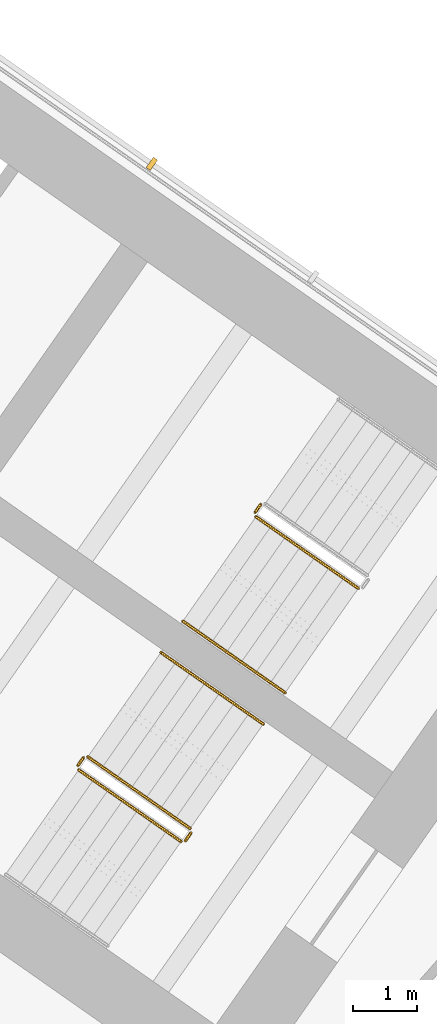
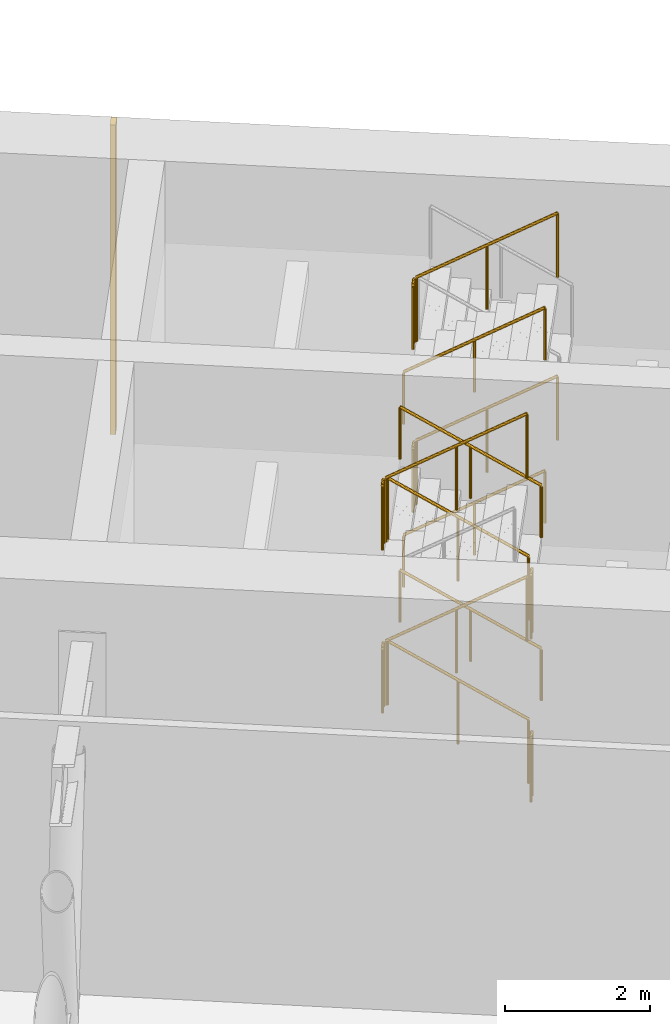
# One storey, part 21 of 24: 16 railings, 1 shading device.
"""IFC4 building model written with IfcOpenShell, lengths in metres."""

import ifcopenshell
import ifcopenshell.guid

model = None  # the IFC model being written
_history = None  # IfcOwnerHistory: only IFC2X3 demands one
_inside = {}  # id of a spatial element -> (the spatial element, [elements in it])
_under = {}  # id of a project, library or spatial element -> (it, [spatial elements below it])
_declared = {}  # id of a project -> (the project, [libraries it declares])
_typed = {}  # id of a type object -> (the type object, [elements of that type])
_made_of = {}  # id of a material, layer set ... -> (it, [elements and type objects made of it])


def new_model(schema):
    """Start an empty IFC model of exactly this schema.

    Asked for "IFC4X3", IfcOpenShell would pick the latest addendum, in which some entities
    have other attributes; the version numbers below select the first issue.
    IFC2X3 requires an IfcOwnerHistory on every rooted entity: one is made here for all.
    """
    global model, _history
    if schema == "IFC4X3":
        model = ifcopenshell.file(schema_version=(4, 3, 0, 0))
    else:
        model = ifcopenshell.file(schema=schema)
    _inside.clear()
    _under.clear()
    _declared.clear()
    _typed.clear()
    _made_of.clear()
    _history = None
    if model.schema == "IFC2X3":
        org = make("IfcOrganization", Name="unknown")
        user = make(
            "IfcPersonAndOrganization",
            ThePerson=make("IfcPerson", FamilyName="unknown"),
            TheOrganization=org,
        )
        app = make(
            "IfcApplication",
            ApplicationDeveloper=org,
            Version="unknown",
            ApplicationFullName="unknown",
            ApplicationIdentifier="unknown",
        )
        _history = make(
            "IfcOwnerHistory",
            OwningUser=user,
            OwningApplication=app,
            ChangeAction="ADDED",
            CreationDate=0,
        )
    return model


def make(cls, **values):
    """One entity of the class cls with the attributes given. An attribute that is None is left unset."""
    return model.create_entity(
        cls, **{name: value for name, value in values.items() if value is not None}
    )


def rooted(cls, **values):
    """An entity with a GlobalId (a new one), such as an element, a storey or a relation."""
    return make(cls, GlobalId=ifcopenshell.guid.new(), OwnerHistory=_history, **values)


def si_unit(unit_type, name, prefix=None):
    """IfcSIUnit, for example si_unit("LENGTHUNIT", "METRE", prefix="MILLI")."""
    return make("IfcSIUnit", UnitType=unit_type, Prefix=prefix, Name=name)


def assignment(units):
    """IfcUnitAssignment: the units of a project."""
    return None if units is None else make("IfcUnitAssignment", Units=units)


def point(xyz):
    """IfcCartesianPoint."""
    return None if xyz is None else make("IfcCartesianPoint", Coordinates=xyz)


def direction(xyz):
    """IfcDirection."""
    return None if xyz is None else make("IfcDirection", DirectionRatios=xyz)


def frame(location, z_axis=None, x_axis=None):
    """IfcAxis2Placement3D, a coordinate frame: its origin and axes. An axis left out is left unset."""
    return make(
        "IfcAxis2Placement3D",
        Location=point(location),
        Axis=direction(z_axis),
        RefDirection=direction(x_axis),
    )


def frame_2d(location, x_axis=None):
    """IfcAxis2Placement2D, a coordinate frame in the plane: its origin and x axis."""
    return make(
        "IfcAxis2Placement2D", Location=point(location), RefDirection=direction(x_axis)
    )


def origin():
    """The frame at (0, 0, 0) with its axes left unset."""
    return frame((0.0, 0.0, 0.0))


def origin_2d():
    """The frame at (0, 0) in the plane with its x axis left unset."""
    return frame_2d((0.0, 0.0))


def place(relative_to, where):
    """IfcLocalPlacement: puts the frame where relative to a parent placement (None: the world)."""
    return make(
        "IfcLocalPlacement", PlacementRelTo=relative_to, RelativePlacement=where
    )


def context(
    kind, dimensions, precision=None, world=None, true_north=None, identifier=None
):
    """IfcGeometricRepresentationContext, for example the 3D "Model" context."""
    return make(
        "IfcGeometricRepresentationContext",
        ContextIdentifier=identifier,
        ContextType=kind,
        CoordinateSpaceDimension=dimensions,
        Precision=precision,
        WorldCoordinateSystem=world,
        TrueNorth=true_north,
    )


def subcontext(parent, identifier, kind, view, scale=None):
    """IfcGeometricRepresentationSubContext, for example "Body" below "Model"."""
    return make(
        "IfcGeometricRepresentationSubContext",
        ContextIdentifier=identifier,
        ContextType=kind,
        ParentContext=parent,
        TargetScale=scale,
        TargetView=view,
    )


def project(units=None, contexts=None):
    """IfcProject with its units and contexts."""
    return rooted(
        "IfcProject",
        Name="project",
        RepresentationContexts=contexts,
        UnitsInContext=assignment(units),
    )


def spatial(cls, under=None, at=None, **own):
    """A site, building, storey or space (cls), placed at a placement, below another one or the project."""
    s = rooted(cls, ObjectPlacement=at, **own)
    if under is not None:
        _under.setdefault(under.id(), (under, []))[1].append(s)
    return s


def profile(cls, at=None, kind="AREA", **sizes):
    """A parametric profile (cls). Its sizes go by their IFC names, for example OverallWidth=200.0."""
    return make(cls, ProfileType=kind, Position=at, **sizes)


def rectangle(**sizes):
    """IfcRectangleProfileDef."""
    return profile("IfcRectangleProfileDef", **sizes)


def circle(**sizes):
    """IfcCircleProfileDef."""
    return profile("IfcCircleProfileDef", **sizes)


def extrude(swept, where, along, depth):
    """IfcExtrudedAreaSolid: the profile swept, set in the frame where, extruded along a direction by depth."""
    return make(
        "IfcExtrudedAreaSolid",
        SweptArea=swept,
        Position=where,
        ExtrudedDirection=direction(along),
        Depth=depth,
    )


def shape(context_of_items, identifier, shape_type, items):
    """IfcShapeRepresentation: the items that make up one representation, for example the "Body"."""
    return make(
        "IfcShapeRepresentation",
        ContextOfItems=context_of_items,
        RepresentationIdentifier=identifier,
        RepresentationType=shape_type,
        Items=items,
    )


def material(Name=None, Category=None):
    """IfcMaterial."""
    return make("IfcMaterial", Name=Name, Category=Category)


def layer(
    of_material, thickness, ventilated=None, Name=None, Category=None, Priority=None
):
    """IfcMaterialLayer: one layer of a wall or slab, of a material (None: an air gap)."""
    return make(
        "IfcMaterialLayer",
        Material=of_material,
        LayerThickness=thickness,
        IsVentilated=ventilated,
        Name=Name,
        Category=Category,
        Priority=Priority,
    )


def layer_set(layers, Name=None):
    """IfcMaterialLayerSet."""
    return make("IfcMaterialLayerSet", MaterialLayers=layers, LayerSetName=Name)


def made_of(thing, what):
    """Note that an element or type object is made of a material, layer set ...; save() writes the relation."""
    if what is not None:
        _made_of.setdefault(what.id(), (what, []))[1].append(thing)
    return thing


def type_object(cls, material=None, **own):
    """A type object (cls), such as IfcWallType, which elements share."""
    return made_of(rooted(cls, **own), material)


def element(
    cls,
    number,
    at=None,
    inside=None,
    cuts=None,
    type_object=None,
    material=None,
    context=None,
    identifier="Body",
    shape_type=None,
    held_by="IfcProductDefinitionShape",
    body=None,
    shapes=None,
    **own,
):
    """One element of the class cls, such as IfcWall. Its Tag is "e" and its number.

    at: its placement. inside: the storey or other place that contains it. cuts: it is an
    opening in that element (IfcRelVoidsElement). A single representation is given by context,
    identifier, shape_type and body (its items); several are given by shapes. held_by: the class
    of the entity that holds the representations. save() writes the other relations.
    """
    e = rooted(cls, Tag="e%d" % number, ObjectPlacement=at, **own)
    if body is not None:
        shapes = [shape(context, identifier, shape_type, body)]
    if shapes is not None:
        e.Representation = make(held_by, Representations=shapes)
    if inside is not None:
        _inside.setdefault(inside.id(), (inside, []))[1].append(e)
    if cuts is not None:
        rooted(
            "IfcRelVoidsElement", RelatingBuildingElement=cuts, RelatedOpeningElement=e
        )
    if type_object is not None:
        _typed.setdefault(type_object.id(), (type_object, []))[1].append(e)
    return made_of(e, material)


def aggregate(whole, parts):
    """IfcRelAggregates: a whole, such as a stair, and the parts it consists of."""
    return rooted("IfcRelAggregates", RelatingObject=whole, RelatedObjects=parts)


def save(model, path):
    """Write the relations noted so far, then the file.

    IfcRelAggregates (storeys below a building ...), IfcRelContainedInSpatialStructure (elements
    in a storey), IfcRelDefinesByType, IfcRelAssociatesMaterial and IfcRelDeclares: one each for
    every whole, place, type object, material and project.
    """
    for whole, parts in _under.values():
        aggregate(whole, parts)
    for where, things in _inside.values():
        rooted(
            "IfcRelContainedInSpatialStructure",
            RelatedElements=things,
            RelatingStructure=where,
        )
    for kind, things in _typed.values():
        rooted("IfcRelDefinesByType", RelatedObjects=things, RelatingType=kind)
    for what, things in _made_of.values():
        rooted("IfcRelAssociatesMaterial", RelatedObjects=things, RelatingMaterial=what)
    for by, libraries in _declared.values():
        rooted("IfcRelDeclares", RelatingContext=by, RelatedDefinitions=libraries)
    model.write(path)


model = new_model("IFC4")

# Units and contexts
model_context = context("Model", 3, precision=1e-05, world=origin(), true_north=direction((0.0, 1.0)))
body_context = subcontext(model_context, "Body", "Model", "MODEL_VIEW")
ifc_project = project(units=[si_unit("LENGTHUNIT", "METRE"), si_unit("AREAUNIT", "SQUARE_METRE"), si_unit("VOLUMEUNIT", "CUBIC_METRE"), si_unit("PLANEANGLEUNIT", "RADIAN"), si_unit("MASSUNIT", "GRAM", prefix="KILO")], contexts=[model_context])

# Site, building, storey
site_placement = place(None, origin())
site = spatial("IfcSite", under=ifc_project, at=site_placement, CompositionType="ELEMENT")
building_placement = place(site_placement, origin())
building = spatial("IfcBuilding", under=site, at=building_placement, Name="Tel Ilan Convention Tower", CompositionType="ELEMENT")
storey_placement = place(building_placement, frame((0.0, 0.0, 126.5)))
storey = spatial("IfcBuildingStorey", under=building, at=storey_placement, Name="L28", CompositionType="ELEMENT", Elevation=126.5)

# Shading device
ifc_material_1 = material(Name="Aluminium, bronze anodised", Category="aluminium")
ifc_layer = layer(ifc_material_1, 0.080078125)
ifc_layer_set = layer_set([ifc_layer], Name="SCREEN POST 80x200")
shading_device_type = type_object("IfcShadingDeviceType", Name="SCREEN POST 80x200", PredefinedType="USERDEFINED", material=ifc_layer_set)
shading_device_placement = place(storey_placement, frame((20.29541015625, -1.392822265625, 0.0), z_axis=(0.0, 0.0, 1.0), x_axis=(-0.819152044289, 0.573576436351, 0.0)))
element("IfcShadingDevice", 1, at=shading_device_placement, inside=storey, type_object=shading_device_type, Name="Screen post", ObjectType="SCREEN POST", PredefinedType="USERDEFINED", context=body_context, shape_type="SweptSolid", body=[
    extrude(rectangle(XDim=0.080078125, YDim=0.199951171875, at=origin_2d()), origin(), (0.0, 0.0, 1.0), 5.219970703125),
])

# Railings
ifc_material_2 = material(Name="Stainless Steel Grade 316", Category="steel")
railing_type_1 = type_object("IfcRailingType", Name="Stainless Steel Stair Guard 1100 mm", PredefinedType="GUARDRAIL", material=ifc_material_2)
railing_1_placement = place(storey_placement, frame((22.003662109375, -6.739501953125, 1.375)))
element("IfcRailing", 2, at=railing_1_placement, inside=storey, type_object=railing_type_1, Name="L28 S3 stair guard 2", PredefinedType="GUARDRAIL", context=body_context, shape_type="SweptSolid", body=[
    extrude(circle(Radius=0.02392578125, at=origin_2d()), frame((0.0, 0.0, 1.076171875), z_axis=(-0.57368046593, -0.819079192149, 0.0), x_axis=(0.819079192149, -0.57368046593, 0.0)), (0.0, 0.0, 1.0), 0.150146484375),
    extrude(circle(Radius=0.02099609375, at=origin_2d()), origin(), (0.0, 0.0, 1.0), 1.052001953125),
    extrude(circle(Radius=0.02099609375, at=origin_2d()), frame((-0.086181640625, -0.123046875, 0.0)), (0.0, 0.0, 1.0), 1.052001953125),
])
railing_2_placement = place(storey_placement, frame((21.929931640625, -6.93212890625, 1.546875)))
element("IfcRailing", 3, at=railing_2_placement, inside=storey, type_object=railing_type_1, Name="L28 S3 stair guard 3", PredefinedType="GUARDRAIL", context=body_context, shape_type="SweptSolid", body=[
    extrude(circle(Radius=0.02392578125, at=origin_2d()), frame((0.0, 0.0, 1.076171875), z_axis=(0.698094737943, -0.488857400886, 0.523146421621), x_axis=(0.573612813533, 0.819126571508, 0.0)), (0.0, 0.0, 1.0), 2.2998046875),
    extrude(circle(Radius=0.02099609375, at=origin_2d()), origin(), (0.0, 0.0, 1.0), 1.052001953125),
    extrude(circle(Radius=0.02099609375, at=origin_2d()), frame((0.802734375, -0.56201171875, 0.6015625)), (0.0, 0.0, 1.0), 1.052001953125),
    extrude(circle(Radius=0.02099609375, at=origin_2d()), frame((1.60546875, -1.124267578125, 1.203125)), (0.0, 0.0, 1.0), 1.052001953125),
])
railing_3_placement = place(storey_placement, frame((22.003662109375, -6.739501953125, 4.125)))
element("IfcRailing", 4, at=railing_3_placement, inside=storey, type_object=railing_type_1, Name="L28 S3 stair guard 6", PredefinedType="GUARDRAIL", context=body_context, shape_type="SweptSolid", body=[
    extrude(circle(Radius=0.02392578125, at=origin_2d()), frame((0.0, 0.0, 1.076171875), z_axis=(-0.57368046593, -0.819079192149, 0.0), x_axis=(0.819079192149, -0.57368046593, 0.0)), (0.0, 0.0, 1.0), 0.150146484375),
    extrude(circle(Radius=0.02099609375, at=origin_2d()), origin(), (0.0, 0.0, 1.0), 1.052001953125),
    extrude(circle(Radius=0.02099609375, at=origin_2d()), frame((-0.086181640625, -0.123046875, 0.0)), (0.0, 0.0, 1.0), 1.052001953125),
])
railing_4_placement = place(storey_placement, frame((21.929931640625, -6.93212890625, 4.296875)))
element("IfcRailing", 5, at=railing_4_placement, inside=storey, type_object=railing_type_1, Name="L28 S3 stair guard 7", PredefinedType="GUARDRAIL", context=body_context, shape_type="SweptSolid", body=[
    extrude(circle(Radius=0.02392578125, at=origin_2d()), frame((0.0, 0.0, 1.076171875), z_axis=(0.698094737943, -0.488857400886, 0.523146421621), x_axis=(0.573612813533, 0.819126571508, 0.0)), (0.0, 0.0, 1.0), 2.2998046875),
    extrude(circle(Radius=0.02099609375, at=origin_2d()), origin(), (0.0, 0.0, 1.0), 1.052001953125),
    extrude(circle(Radius=0.02099609375, at=origin_2d()), frame((0.802734375, -0.56201171875, 0.6015625)), (0.0, 0.0, 1.0), 1.052001953125),
    extrude(circle(Radius=0.02099609375, at=origin_2d()), frame((1.60546875, -1.124267578125, 1.203125)), (0.0, 0.0, 1.0), 1.052001953125),
])
railing_5_placement = place(storey_placement, frame((20.89697265625, -11.824462890625, 0.171875)))
element("IfcRailing", 6, at=railing_5_placement, inside=storey, type_object=railing_type_1, Name="L28 S4 stair guard 1", PredefinedType="GUARDRAIL", context=body_context, shape_type="SweptSolid", body=[
    extrude(circle(Radius=0.02392578125, at=origin_2d()), frame((0.0, 0.0, 1.076171875), z_axis=(-0.698094737943, 0.488857400886, 0.523146421621), x_axis=(-0.573612813533, -0.819126571508, 0.0)), (0.0, 0.0, 1.0), 2.2998046875),
    extrude(circle(Radius=0.02099609375, at=origin_2d()), origin(), (0.0, 0.0, 1.0), 1.052001953125),
    extrude(circle(Radius=0.02099609375, at=origin_2d()), frame((-0.802734375, 0.56201171875, 0.6015625)), (0.0, 0.0, 1.0), 1.052001953125),
    extrude(circle(Radius=0.02099609375, at=origin_2d()), frame((-1.60546875, 1.124267578125, 1.203125)), (0.0, 0.0, 1.0), 1.052001953125),
])
railing_6_placement = place(storey_placement, frame((19.2216796875, -10.71240234375, 1.375)))
element("IfcRailing", 7, at=railing_6_placement, inside=storey, type_object=railing_type_1, Name="L28 S4 stair guard 2", PredefinedType="GUARDRAIL", context=body_context, shape_type="SweptSolid", body=[
    extrude(circle(Radius=0.02392578125, at=origin_2d()), frame((0.0, 0.0, 1.076171875), z_axis=(-0.572588637393, -0.819842821722, 0.0), x_axis=(0.819842821722, -0.572588637393, 0.0)), (0.0, 0.0, 1.0), 0.150146484375),
    extrude(circle(Radius=0.02099609375, at=origin_2d()), origin(), (0.0, 0.0, 1.0), 1.052001953125),
    extrude(circle(Radius=0.02099609375, at=origin_2d()), frame((-0.0859375, -0.123046875, 0.0)), (0.0, 0.0, 1.0), 1.052001953125),
])
railing_7_placement = place(storey_placement, frame((19.14794921875, -10.905029296875, 1.546875)))
element("IfcRailing", 8, at=railing_7_placement, inside=storey, type_object=railing_type_1, Name="L28 S4 stair guard 3", PredefinedType="GUARDRAIL", context=body_context, shape_type="SweptSolid", body=[
    extrude(circle(Radius=0.02392578125, at=origin_2d()), frame((0.0, 0.0, 1.076171875), z_axis=(0.698149155229, -0.488821173762, 0.523107653485), x_axis=(0.573554290663, 0.819167550421, 0.0)), (0.0, 0.0, 1.0), 2.300048828125),
    extrude(circle(Radius=0.02099609375, at=origin_2d()), origin(), (0.0, 0.0, 1.0), 1.052001953125),
    extrude(circle(Radius=0.02099609375, at=origin_2d()), frame((0.802734375, -0.56201171875, 0.6015625)), (0.0, 0.0, 1.0), 1.052001953125),
    extrude(circle(Radius=0.02099609375, at=origin_2d()), frame((1.605712890625, -1.124267578125, 1.203125)), (0.0, 0.0, 1.0), 1.052001953125),
])
railing_8_placement = place(storey_placement, frame((20.9091796875, -11.89404296875, 2.75)))
element("IfcRailing", 9, at=railing_8_placement, inside=storey, type_object=railing_type_1, Name="L28 S4 stair guard 4", PredefinedType="GUARDRAIL", context=body_context, shape_type="SweptSolid", body=[
    extrude(circle(Radius=0.02392578125, at=origin_2d()), frame((0.0, 0.0, 1.076171875), z_axis=(-0.573353020881, -0.819308436089, 0.0), x_axis=(0.819308436089, -0.573353020881, 0.0)), (0.0, 0.0, 1.0), 0.14990234375),
    extrude(circle(Radius=0.02099609375, at=origin_2d()), origin(), (0.0, 0.0, 1.0), 1.052001953125),
    extrude(circle(Radius=0.02099609375, at=origin_2d()), frame((-0.0859375, -0.122802734375, 0.0)), (0.0, 0.0, 1.0), 1.052001953125),
])
railing_9_placement = place(storey_placement, frame((20.89697265625, -11.824462890625, 2.921875)))
element("IfcRailing", 10, at=railing_9_placement, inside=storey, type_object=railing_type_1, Name="L28 S4 stair guard 5", PredefinedType="GUARDRAIL", context=body_context, shape_type="SweptSolid", body=[
    extrude(circle(Radius=0.02392578125, at=origin_2d()), frame((0.0, 0.0, 1.076171875), z_axis=(-0.698094737943, 0.488857400886, 0.523146421621), x_axis=(-0.573612813533, -0.819126571508, 0.0)), (0.0, 0.0, 1.0), 2.2998046875),
    extrude(circle(Radius=0.02099609375, at=origin_2d()), origin(), (0.0, 0.0, 1.0), 1.052001953125),
    extrude(circle(Radius=0.02099609375, at=origin_2d()), frame((-0.802734375, 0.56201171875, 0.6015625)), (0.0, 0.0, 1.0), 1.052001953125),
    extrude(circle(Radius=0.02099609375, at=origin_2d()), frame((-1.60546875, 1.124267578125, 1.203125)), (0.0, 0.0, 1.0), 1.052001953125),
])
railing_10_placement = place(storey_placement, frame((19.2216796875, -10.71240234375, 4.125)))
element("IfcRailing", 11, at=railing_10_placement, inside=storey, type_object=railing_type_1, Name="L28 S4 stair guard 6", PredefinedType="GUARDRAIL", context=body_context, shape_type="SweptSolid", body=[
    extrude(circle(Radius=0.02392578125, at=origin_2d()), frame((0.0, 0.0, 1.076171875), z_axis=(-0.572588637393, -0.819842821722, 0.0), x_axis=(0.819842821722, -0.572588637393, 0.0)), (0.0, 0.0, 1.0), 0.150146484375),
    extrude(circle(Radius=0.02099609375, at=origin_2d()), origin(), (0.0, 0.0, 1.0), 1.052001953125),
    extrude(circle(Radius=0.02099609375, at=origin_2d()), frame((-0.0859375, -0.123046875, 0.0)), (0.0, 0.0, 1.0), 1.052001953125),
])
railing_11_placement = place(storey_placement, frame((19.14794921875, -10.905029296875, 4.296875)))
element("IfcRailing", 12, at=railing_11_placement, inside=storey, type_object=railing_type_1, Name="L28 S4 stair guard 7", PredefinedType="GUARDRAIL", context=body_context, shape_type="SweptSolid", body=[
    extrude(circle(Radius=0.02392578125, at=origin_2d()), frame((0.0, 0.0, 1.076171875), z_axis=(0.698149155229, -0.488821173762, 0.523107653485), x_axis=(0.573554290663, 0.819167550421, 0.0)), (0.0, 0.0, 1.0), 2.300048828125),
    extrude(circle(Radius=0.02099609375, at=origin_2d()), origin(), (0.0, 0.0, 1.0), 1.052001953125),
    extrude(circle(Radius=0.02099609375, at=origin_2d()), frame((0.802734375, -0.56201171875, 0.6015625)), (0.0, 0.0, 1.0), 1.052001953125),
    extrude(circle(Radius=0.02099609375, at=origin_2d()), frame((1.605712890625, -1.124267578125, 1.203125)), (0.0, 0.0, 1.0), 1.052001953125),
])
railing_12_placement = place(storey_placement, frame((20.9091796875, -11.89404296875, 0.0)))
element("IfcRailing", 13, at=railing_12_placement, inside=storey, type_object=railing_type_1, Name="L28 S4 stair guard 8", PredefinedType="GUARDRAIL", context=body_context, shape_type="SweptSolid", body=[
    extrude(circle(Radius=0.02392578125, at=origin_2d()), frame((0.0, 0.0, 1.076171875), z_axis=(-0.573353020881, -0.819308436089, 0.0), x_axis=(0.819308436089, -0.573353020881, 0.0)), (0.0, 0.0, 1.0), 0.14990234375),
    extrude(circle(Radius=0.02099609375, at=origin_2d()), origin(), (0.0, 0.0, 1.0), 1.052001953125),
    extrude(circle(Radius=0.02099609375, at=origin_2d()), frame((-0.0859375, -0.122802734375, 0.0)), (0.0, 0.0, 1.0), 1.052001953125),
])
ifc_material_3 = material(Name="Stainless Steel Grade 316", Category="steel")
railing_type_2 = type_object("IfcRailingType", Name="Stainless Steel Stair Handrail 900 mm", PredefinedType="HANDRAIL", material=ifc_material_3)
for number, where, name in (
    (14, (20.78271484375, -8.5703125, 1.546875), "L28 S3 stair handrail 2"),
    (15, (20.78271484375, -8.5703125, 4.296875), "L28 S3 stair handrail 4"),
):
    element("IfcRailing", number, at=place(storey_placement, frame(where)), inside=storey, type_object=railing_type_2, Name=name, PredefinedType="HANDRAIL", context=body_context, shape_type="SweptSolid", body=[
        extrude(circle(Radius=0.02392578125, at=origin_2d()), frame((0.0, 0.0, 0.8759765625), z_axis=(0.698094737943, -0.488857400886, 0.523146421621), x_axis=(0.573612813533, 0.819126571508, 0.0)), (0.0, 0.0, 1.0), 2.2998046875),
        extrude(circle(Radius=0.02099609375, at=origin_2d()), origin(), (0.0, 0.0, 1.0), 0.851806640625),
        extrude(circle(Radius=0.02099609375, at=origin_2d()), frame((0.802734375, -0.56201171875, 0.6015625)), (0.0, 0.0, 1.0), 0.851806640625),
        extrude(circle(Radius=0.02099609375, at=origin_2d()), frame((1.60546875, -1.124267578125, 1.203125)), (0.0, 0.0, 1.0), 0.851806640625),
    ])
for number, where, name in (
    (16, (22.044189453125, -10.18603515625, 0.171875), "L28 S4 stair handrail 1"),
    (17, (22.044189453125, -10.18603515625, 2.921875), "L28 S4 stair handrail 3"),
):
    element("IfcRailing", number, at=place(storey_placement, frame(where)), inside=storey, type_object=railing_type_2, Name=name, PredefinedType="HANDRAIL", context=body_context, shape_type="SweptSolid", body=[
        extrude(circle(Radius=0.02392578125, at=origin_2d()), frame((0.0, 0.0, 0.8759765625), z_axis=(-0.698185379967, 0.488740381537, 0.523134795876), x_axis=(-0.573470704013, -0.8192260687, 0.0)), (0.0, 0.0, 1.0), 2.2998046875),
        extrude(circle(Radius=0.02099609375, at=origin_2d()), origin(), (0.0, 0.0, 1.0), 0.851806640625),
        extrude(circle(Radius=0.02099609375, at=origin_2d()), frame((-0.802734375, 0.56201171875, 0.6015625)), (0.0, 0.0, 1.0), 0.851806640625),
        extrude(circle(Radius=0.02099609375, at=origin_2d()), frame((-1.605712890625, 1.1240234375, 1.203125)), (0.0, 0.0, 1.0), 0.851806640625),
    ])

save(model, "model.ifc")
